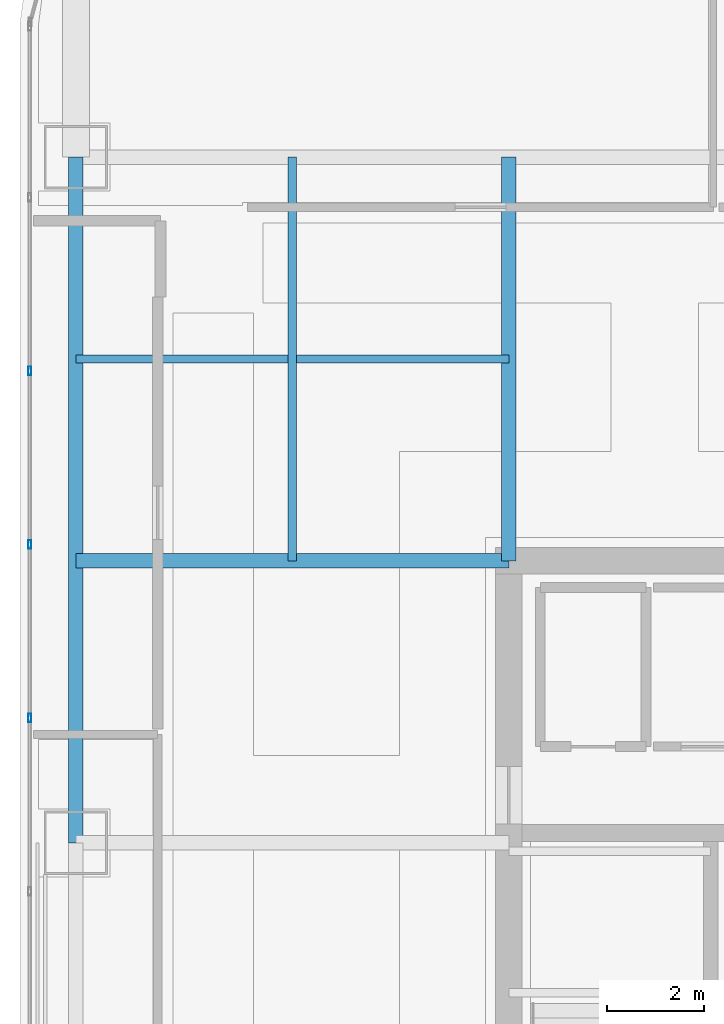
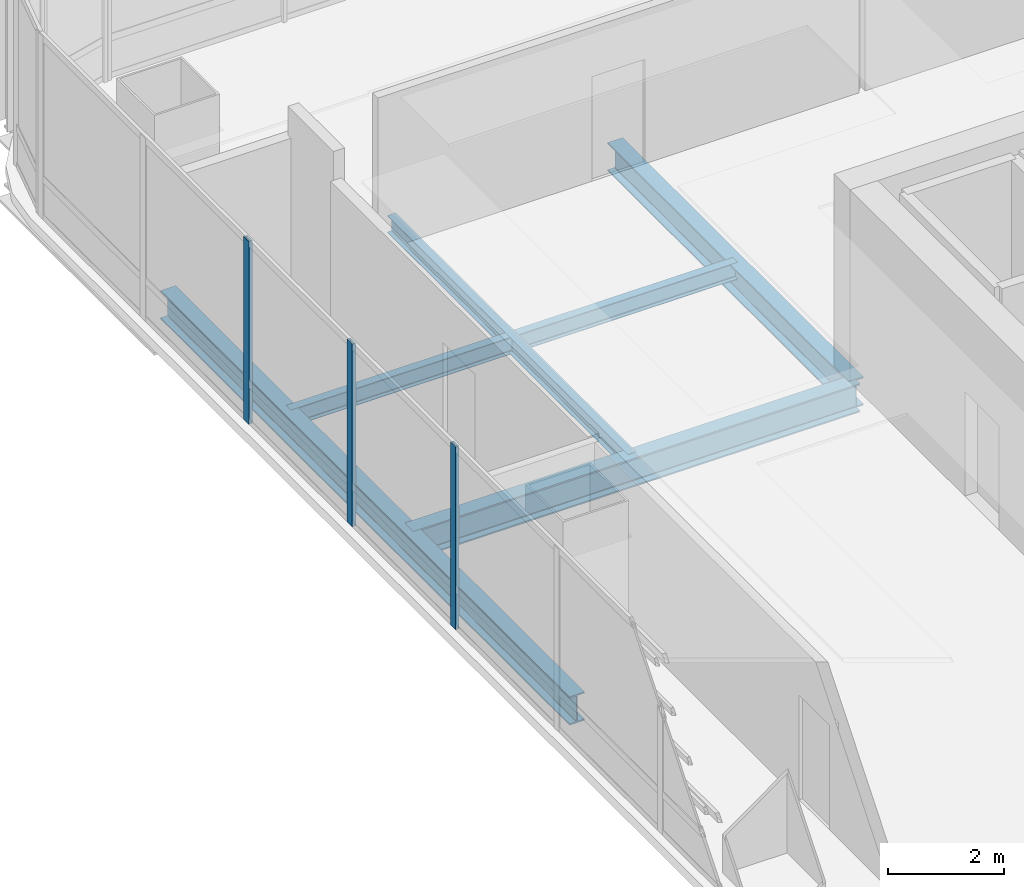
# One storey, part 12 of 42: 5 beams, 3 members, 1 element without a shape of its own.
"""IFC4 building model written with IfcOpenShell, lengths in metres."""

from ifc_helpers import new_model, si_unit, direction, frame, origin, origin_2d, place, context, subcontext, project, spatial, hollow_rectangle, i_section, extrude, material, material_profile, profile_set, type_object, element, aggregate, save


model = new_model("IFC4")

# Units and contexts
model_context = context("Model", 3, precision=1e-05, world=origin(), true_north=direction((0.0, 1.0)))
body_context = subcontext(model_context, "Body", "Model", "MODEL_VIEW")
ifc_project = project(units=[si_unit("LENGTHUNIT", "METRE"), si_unit("AREAUNIT", "SQUARE_METRE"), si_unit("VOLUMEUNIT", "CUBIC_METRE"), si_unit("PLANEANGLEUNIT", "RADIAN"), si_unit("MASSUNIT", "GRAM", prefix="KILO")], contexts=[model_context])

# Site, building, storey
site_placement = place(None, origin())
site = spatial("IfcSite", under=ifc_project, at=site_placement, CompositionType="ELEMENT")
building_placement = place(site_placement, origin())
building = spatial("IfcBuilding", under=site, at=building_placement, Name="Punatoya Terracotta Tower", CompositionType="ELEMENT")
storey_placement = place(building_placement, frame((0.0, 0.0, 259.5)))
storey = spatial("IfcBuildingStorey", under=building, at=storey_placement, Name="L61", CompositionType="ELEMENT", Elevation=259.5)

# Beams
ifc_material_1 = material(Name="Steel S355", Category="steel")
ifc_material_profile_1 = material_profile(ifc_material_1, i_section(OverallWidth=0.300048828125, OverallDepth=0.60009765625, WebThickness=0.015380859375, FlangeThickness=0.030029296875, FilletRadius=0.01806640625, at=origin_2d()))
ifc_profile_set_1 = profile_set([ifc_material_profile_1], Name="Steel S355")
beam_type_1 = type_object("IfcBeamType", Name="BM-PRI-600", PredefinedType="BEAM", material=ifc_profile_set_1)
beam_1_placement = place(storey_placement, frame((-19.10009765625, 3.39990234375, -0.5), z_axis=(0.0, 1.0, 0.0), x_axis=(-1.0, 0.0, 0.0)))
element("IfcBeam", 1, at=beam_1_placement, inside=storey, type_object=beam_type_1, Name="BM-L61-RG-W3", PredefinedType="BEAM", context=body_context, shape_type="SweptSolid", body=[
    extrude(i_section(OverallWidth=0.300048828125, OverallDepth=0.60009765625, WebThickness=0.015380859375, FlangeThickness=0.030029296875, FilletRadius=0.01806640625, at=origin_2d()), origin(), (0.0, 0.0, 1.0), 14.10009765625),
])
beam_2_placement = place(storey_placement, frame((-19.10009765625, 9.199951171875, -0.5), z_axis=(1.0, 0.0, 0.0), x_axis=(0.0, 1.0, 0.0)))
element("IfcBeam", 2, at=beam_2_placement, inside=storey, type_object=beam_type_1, Name="BM-L61-PR-WN", PredefinedType="BEAM", context=body_context, shape_type="SweptSolid", body=[
    extrude(i_section(OverallWidth=0.300048828125, OverallDepth=0.60009765625, WebThickness=0.015380859375, FlangeThickness=0.030029296875, FilletRadius=0.01806640625, at=origin_2d()), origin(), (0.0, 0.0, 1.0), 8.900146484375),
])
beam_3_placement = place(storey_placement, frame((-10.199951171875, 9.199951171875, -0.5), z_axis=(0.0, 1.0, 0.0), x_axis=(-1.0, 0.0, 0.0)))
element("IfcBeam", 3, at=beam_3_placement, inside=storey, type_object=beam_type_1, Name="BM-L61-PR-N1", PredefinedType="BEAM", context=body_context, shape_type="SweptSolid", body=[
    extrude(i_section(OverallWidth=0.300048828125, OverallDepth=0.60009765625, WebThickness=0.015380859375, FlangeThickness=0.030029296875, FilletRadius=0.01806640625, at=origin_2d()), origin(), (0.0, 0.0, 1.0), 8.300048828125),
])
ifc_material_profile_2 = material_profile(ifc_material_1, i_section(OverallWidth=0.169921875, OverallDepth=0.360107421875, WebThickness=0.008056640625, FlangeThickness=0.0126953125, FilletRadius=0.01806640625, at=origin_2d()))
ifc_profile_set_2 = profile_set([ifc_material_profile_2], Name="Steel S355")
beam_type_2 = type_object("IfcBeamType", Name="BM-SEC-360", PredefinedType="JOIST", material=ifc_profile_set_2)
beam_4_placement = place(storey_placement, frame((-19.10009765625, 13.35009765625, -0.3798828125), z_axis=(1.0, 0.0, 0.0), x_axis=(0.0, 1.0, 0.0)))
element("IfcBeam", 4, at=beam_4_placement, inside=storey, type_object=beam_type_2, Name="BM-L61-SJN-1", PredefinedType="JOIST", context=body_context, shape_type="SweptSolid", body=[
    extrude(i_section(OverallWidth=0.169921875, OverallDepth=0.360107421875, WebThickness=0.008056640625, FlangeThickness=0.0126953125, FilletRadius=0.01806640625, at=origin_2d()), origin(), (0.0, 0.0, 1.0), 8.900146484375),
])
beam_5_placement = place(storey_placement, frame((-14.64990234375, 9.199951171875, -0.3798828125), z_axis=(0.0, 1.0, 0.0), x_axis=(-1.0, 0.0, 0.0)))
element("IfcBeam", 5, at=beam_5_placement, inside=storey, type_object=beam_type_2, Name="BM-L61-SJW-2", PredefinedType="JOIST", context=body_context, shape_type="SweptSolid", body=[
    extrude(i_section(OverallWidth=0.169921875, OverallDepth=0.360107421875, WebThickness=0.008056640625, FlangeThickness=0.0126953125, FilletRadius=0.01806640625, at=origin_2d()), origin(), (0.0, 0.0, 1.0), 8.300048828125),
])

# Curtain wall, members
ifc_material_2 = material(Name="Aluminium 6063-T6 + Double Low-E Glass", Category="aluminium")
curtain_wall_type = type_object("IfcCurtainWallType", Name="CW-M3", PredefinedType="NOTDEFINED", material=ifc_material_2)
curtain_wall_placement = place(storey_placement, origin())
curtain_wall = element("IfcCurtainWall", 6, at=curtain_wall_placement, inside=storey, type_object=curtain_wall_type, Name="L61 Curtain Wall CW-L61-W13-1", PredefinedType="NOTDEFINED")
ifc_material_3 = material(Name="Aluminium 6063-T6", Category="aluminium")
ifc_material_profile_3 = material_profile(ifc_material_3, hollow_rectangle(XDim=0.070068359375, YDim=0.179931640625, WallThickness=0.00390625, at=origin_2d()))
ifc_profile_set_3 = profile_set([ifc_material_profile_3], Name="Aluminium 6063-T6")
member_type = type_object("IfcMemberType", Name="CW-MUL-M3", PredefinedType="MULLION", material=ifc_profile_set_3)
member_1_placement = place(storey_placement, frame((-20.050048828125, 13.10205078125, 0.0), z_axis=(0.0, 0.0, 1.0), x_axis=(1.0, 0.0, 0.0)))
member_1 = element("IfcMember", 7, at=member_1_placement, type_object=member_type, Name="CW-L61-W13-1 Mullion 02", PredefinedType="MULLION", context=body_context, shape_type="SweptSolid", body=[
    extrude(hollow_rectangle(XDim=0.070068359375, YDim=0.179931640625, WallThickness=0.00390625, at=origin_2d()), origin(), (0.0, 0.0, 1.0), 3.85009765625),
])
member_2_placement = place(storey_placement, frame((-20.050048828125, 9.534912109375, 0.0), z_axis=(0.0, 0.0, 1.0), x_axis=(1.0, 0.0, 0.0)))
member_2 = element("IfcMember", 8, at=member_2_placement, type_object=member_type, Name="CW-L61-W13-1 Mullion 03", PredefinedType="MULLION", context=body_context, shape_type="SweptSolid", body=[
    extrude(hollow_rectangle(XDim=0.070068359375, YDim=0.179931640625, WallThickness=0.00390625, at=origin_2d()), origin(), (0.0, 0.0, 1.0), 3.85009765625),
])
member_3_placement = place(storey_placement, frame((-20.050048828125, 5.96728515625, 0.0), z_axis=(0.0, 0.0, 1.0), x_axis=(1.0, 0.0, 0.0)))
member_3 = element("IfcMember", 9, at=member_3_placement, type_object=member_type, Name="CW-L61-W13-1 Mullion 04", PredefinedType="MULLION", context=body_context, shape_type="SweptSolid", body=[
    extrude(hollow_rectangle(XDim=0.070068359375, YDim=0.179931640625, WallThickness=0.00390625, at=origin_2d()), origin(), (0.0, 0.0, 1.0), 3.85009765625),
])
aggregate(curtain_wall, [member_1, member_2, member_3])

save(model, "model.ifc")
